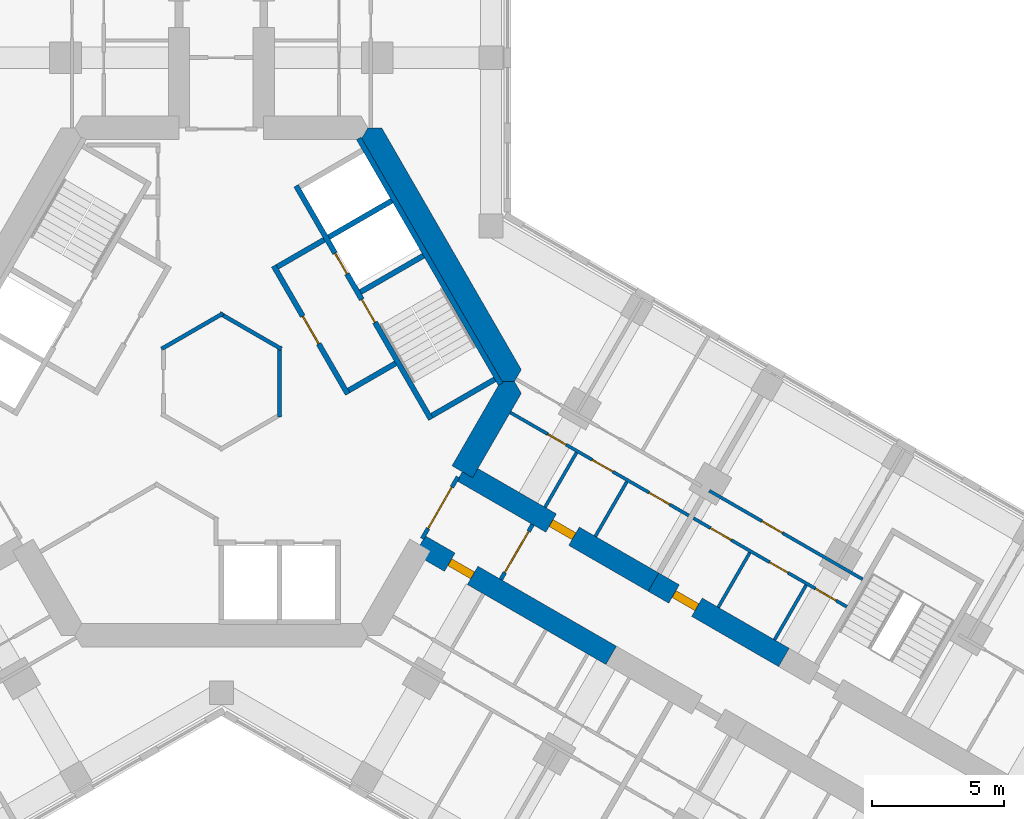
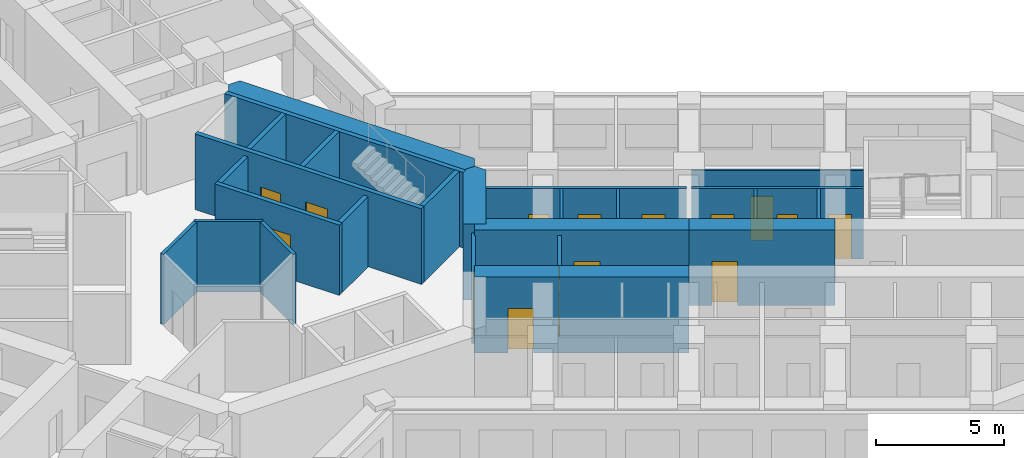
# One storey, part 15 of 19: 25 walls, 15 doors, 15 openings.
"""IFC4 building model written with IfcOpenShell, lengths in metres."""

from ifc_helpers import new_model, si_unit, direction, frame, frame_2d, origin, place, context, subcontext, project, spatial, polyline, rectangle, outline, extrude, material, layer, layer_set, type_object, element, fill, save


model = new_model("IFC4")

# Units and contexts
model_context = context("Model", 3, precision=1e-05, world=origin(), true_north=direction((0.0, 1.0)))
body_context = subcontext(model_context, "Body", "Model", "MODEL_VIEW")
ifc_project = project(units=[si_unit("LENGTHUNIT", "METRE"), si_unit("AREAUNIT", "SQUARE_METRE"), si_unit("VOLUMEUNIT", "CUBIC_METRE"), si_unit("PLANEANGLEUNIT", "RADIAN"), si_unit("MASSUNIT", "GRAM", prefix="KILO")], contexts=[model_context])

# Site, building, storey
site_placement = place(None, origin())
site = spatial("IfcSite", under=ifc_project, at=site_placement, CompositionType="ELEMENT")
building_placement = place(site_placement, origin())
building = spatial("IfcBuilding", under=site, at=building_placement, Name="Kosmar Iwan School Tower", CompositionType="ELEMENT")
storey_placement = place(building_placement, frame((0.0, 0.0, 172.39990234375)))
storey = spatial("IfcBuildingStorey", under=building, at=storey_placement, Name="L43", CompositionType="ELEMENT", Elevation=172.39990234375)

# Walls
ifc_material_1 = material(Name="Gypsum board on steel studs, fire-rated", Category="steel")
ifc_layer_1 = layer(ifc_material_1, 0.14990234375)
ifc_layer_set_1 = layer_set([ifc_layer_1], Name="Core room partition 150")
wall_type_1 = type_object("IfcWallType", Name="Core room partition 150", PredefinedType="PARTITIONING", material=ifc_layer_set_1)
for number, where, z_axis, x_axis, name in (
    (1, (-2.264892578125, 1.232666015625, 0.0), (0.0, 0.0, 1.0), (0.866011792348, 0.500023574959, 0.0), "Core room partition L43-CW11"),
    (2, (-0.06494140625, 2.577880859375, 0.0), (0.0, 0.0, 1.0), (0.866011792348, -0.500023574959, 0.0), "Core room partition L43-CW12"),
):
    element("IfcWall", number, at=place(storey_placement, frame(where, z_axis=z_axis, x_axis=x_axis)), inside=storey, type_object=wall_type_1, Name=name, PredefinedType="PARTITIONING", context=body_context, shape_type="SweptSolid", body=[
        extrude(rectangle(XDim=2.690185546875, YDim=0.14990234375, at=frame_2d((1.34521484375, 0.0))), origin(), (0.0, 0.0, 1.0), 3.35009765625),
    ])
wall_1_placement = place(storey_placement, frame((2.199951171875, 1.34521484375, 0.0), z_axis=(0.0, 0.0, 1.0), x_axis=(0.0, -1.0, 0.0)))
element("IfcWall", 3, at=wall_1_placement, inside=storey, type_object=wall_type_1, Name="Core room partition L43-CW13", PredefinedType="PARTITIONING", context=body_context, shape_type="SweptSolid", body=[
    extrude(rectangle(XDim=2.6904296875, YDim=0.14990234375, at=frame_2d((1.34521484375, 0.0))), origin(), (0.0, 0.0, 1.0), 3.35009765625),
])
ifc_material_2 = material(Name="Concrete C50/60", Category="concrete")
ifc_layer_2 = layer(ifc_material_2, 0.89990234375)
ifc_layer_set_2 = layer_set([ifc_layer_2], Name="Core wall 900")
wall_type_2 = type_object("IfcWallType", Name="Core wall 900", PredefinedType="SHEAR", material=ifc_layer_set_2)
wall_2_placement = place(storey_placement, origin())
element("IfcWall", 4, at=wall_2_placement, inside=storey, type_object=wall_type_2, Name="Core wall F030", PredefinedType="SHEAR", context=body_context, shape_type="SweptSolid", body=[
    extrude(outline(polyline([(10.5654296875, 0.0), (11.085205078125, 0.0), (11.344970703125, 0.449951171875), (6.062255859375, 9.60009765625), (5.54248046875, 9.60009765625), (5.28271484375, 9.14990234375), (10.5654296875, 0.0)])), origin(), (0.0, 0.0, 1.0), 3.60009765625),
])
wall_3_placement = place(storey_placement, origin())
element("IfcWall", 5, at=wall_3_placement, inside=storey, type_object=wall_type_2, Name="Core wall F330b", PredefinedType="SHEAR", context=body_context, shape_type="SweptSolid", body=[
    extrude(outline(polyline([(9.503662109375, -3.639404296875), (11.344970703125, -0.449951171875), (11.085205078125, 0.0), (10.5654296875, 0.0), (8.72412109375, -3.189453125), (9.503662109375, -3.639404296875)])), origin(), (0.0, 0.0, 1.0), 3.60009765625),
])

# Wall, opening, door
ifc_material_3 = material(Name="Concrete C50/60", Category="concrete")
ifc_layer_3 = layer(ifc_material_3, 0.800048828125)
ifc_layer_set_3 = layer_set([ifc_layer_3], Name="Corridor buttress wall 800")
wall_type_3 = type_object("IfcWallType", Name="Corridor buttress wall 800", PredefinedType="SHEAR", material=ifc_layer_set_3)
wall_4_placement = place(storey_placement, frame((9.11376953125, -3.414306640625, 0.0), z_axis=(0.0, 0.0, 1.0), x_axis=(0.866026859388, -0.499997478812, 0.0)))
wall_4 = element("IfcWall", 6, at=wall_4_placement, inside=storey, type_object=wall_type_3, Name="Corridor wall CL", PredefinedType="SHEAR", context=body_context, shape_type="SweptSolid", body=[
    extrude(rectangle(XDim=8.35009765625, YDim=0.800048828125, at=frame_2d((4.175048828125, 0.0))), origin(), (0.0, 0.0, 1.0), 3.60009765625),
])
opening_1_placement = place(wall_4_placement, frame((3.8798828125, 0.0, 0.0)))
opening_1 = element("IfcOpeningElement", 7, at=opening_1_placement, cuts=wall_4, Name="Opening D1", PredefinedType="OPENING", context=body_context, shape_type="SweptSolid", body=[
    extrude(rectangle(XDim=1.0, YDim=2.10009765625, at=frame_2d((0.5, 1.050048828125))), frame((0.0, 0.412109375, 0.0), z_axis=(0.0, -1.0, 0.0), x_axis=(1.0, 0.0, 0.0)), (0.0, 0.0, 1.0), 0.823974609375),
])
ifc_material_4 = material(Name="Timber fire door in steel frame", Category="steel")
door_type_1 = type_object("IfcDoorType", Name="Flat entrance door 1000x2100", OperationType="SINGLE_SWING_LEFT", PredefinedType="DOOR", material=ifc_material_4)
door_1_placement = place(opening_1_placement, origin())
door_1 = element("IfcDoor", 8, at=door_1_placement, inside=storey, type_object=door_type_1, Name="Flat L43-CL1 entrance door", OperationType="SINGLE_SWING_LEFT", OverallHeight=2.10009765625, OverallWidth=1.0, PredefinedType="DOOR", context=body_context, shape_type="SweptSolid", body=[
    extrude(rectangle(XDim=1.0, YDim=2.10009765625, at=frame_2d((0.5, 1.050048828125))), frame((0.0, 0.14990234375, 0.0), z_axis=(0.0, -1.0, 0.0), x_axis=(1.0, 0.0, 0.0)), (0.0, 0.0, 1.0), 0.300048828125),
])
fill(opening_1, door_1)

wall_5_placement = place(storey_placement, frame((16.34521484375, -7.58935546875, 0.0), z_axis=(0.0, 0.0, 1.0), x_axis=(0.866015111908, -0.50001782563, 0.0)))
wall_5 = element("IfcWall", 9, at=wall_5_placement, inside=storey, type_object=wall_type_3, Name="Corridor wall CL bay 2", PredefinedType="SHEAR", context=body_context, shape_type="SweptSolid", body=[
    extrude(rectangle(XDim=5.699951171875, YDim=0.800048828125, at=frame_2d((2.85009765625, 0.0))), origin(), (0.0, 0.0, 1.0), 3.60009765625),
])
opening_2_placement = place(wall_5_placement, frame((0.89990234375, 0.0, 0.0)))
opening_2 = element("IfcOpeningElement", 10, at=opening_2_placement, cuts=wall_5, Name="Opening D1", PredefinedType="OPENING", context=body_context, shape_type="SweptSolid", body=[
    extrude(rectangle(XDim=1.0, YDim=2.10009765625, at=frame_2d((0.5, 1.050048828125))), frame((0.0, 0.412109375, 0.0), z_axis=(0.0, -1.0, 0.0), x_axis=(1.0, 0.0, 0.0)), (0.0, 0.0, 1.0), 0.823974609375),
])
door_2_placement = place(opening_2_placement, origin())
door_2 = element("IfcDoor", 11, at=door_2_placement, inside=storey, type_object=door_type_1, Name="Flat L43-CL2 entrance door", OperationType="SINGLE_SWING_RIGHT", OverallHeight=2.10009765625, OverallWidth=1.0, PredefinedType="DOOR", context=body_context, shape_type="SweptSolid", body=[
    extrude(rectangle(XDim=1.0, YDim=2.10009765625, at=frame_2d((0.5, 1.050048828125))), frame((0.0, 0.14990234375, 0.0), z_axis=(0.0, -1.0, 0.0), x_axis=(1.0, 0.0, 0.0)), (0.0, 0.0, 1.0), 0.300048828125),
])
fill(opening_2, door_2)

wall_6_placement = place(storey_placement, frame((7.513916015625, -6.185546875, 0.0), z_axis=(0.0, 0.0, 1.0), x_axis=(0.866019549707, -0.500010139422, 0.0)))
wall_6 = element("IfcWall", 12, at=wall_6_placement, inside=storey, type_object=wall_type_3, Name="Corridor wall CR", PredefinedType="SHEAR", context=body_context, shape_type="SweptSolid", body=[
    extrude(rectangle(XDim=8.349853515625, YDim=0.800048828125, at=frame_2d((4.1748046875, 0.0))), origin(), (0.0, 0.0, 1.0), 3.60009765625),
])
opening_3_placement = place(wall_6_placement, frame((1.300048828125, 0.0, 0.0)))
opening_3 = element("IfcOpeningElement", 13, at=opening_3_placement, cuts=wall_6, Name="Opening D1", PredefinedType="OPENING", context=body_context, shape_type="SweptSolid", body=[
    extrude(rectangle(XDim=1.0, YDim=2.10009765625, at=frame_2d((0.5, 1.050048828125))), frame((0.0, 0.412109375, 0.0), z_axis=(0.0, -1.0, 0.0), x_axis=(1.0, 0.0, 0.0)), (0.0, 0.0, 1.0), 0.823974609375),
])
door_3_placement = place(opening_3_placement, origin())
door_3 = element("IfcDoor", 14, at=door_3_placement, inside=storey, type_object=door_type_1, Name="Flat L43-CR1 entrance door", OperationType="SINGLE_SWING_RIGHT", OverallHeight=2.10009765625, OverallWidth=1.0, PredefinedType="DOOR", context=body_context, shape_type="SweptSolid", body=[
    extrude(rectangle(XDim=1.0, YDim=2.10009765625, at=frame_2d((0.5, 1.050048828125))), frame((0.0, 0.14990234375, 0.0), z_axis=(0.0, -1.0, 0.0), x_axis=(1.0, 0.0, 0.0)), (0.0, 0.0, 1.0), 0.300048828125),
])
fill(opening_3, door_3)

ifc_material_5 = material(Name="Gypsum board on steel studs, fire-rated", Category="steel")
ifc_layer_4 = layer(ifc_material_5, 0.14990234375)
ifc_layer_set_4 = layer_set([ifc_layer_4], Name="Corridor end wall 150")
wall_type_4 = type_object("IfcWallType", Name="Corridor end wall 150", PredefinedType="PARTITIONING", material=ifc_layer_set_4)
wall_7_placement = place(storey_placement, frame((10.57177734375, -7.4892578125, 0.0), z_axis=(0.0, 0.0, 1.0), x_axis=(0.499957262057, 0.866050077142, 0.0)))
wall_7 = element("IfcWall", 15, at=wall_7_placement, inside=storey, type_object=wall_type_4, Name="Partition L43-C-HW", PredefinedType="PARTITIONING", context=body_context, shape_type="SweptSolid", body=[
    extrude(rectangle(XDim=2.400146484375, YDim=0.14990234375, at=frame_2d((1.2001953125, 0.0))), origin(), (0.0, 0.0, 1.0), 3.35009765625),
])
opening_4_placement = place(wall_7_placement, frame((0.300048828125, 0.0, 0.0)))
opening_4 = element("IfcOpeningElement", 16, at=opening_4_placement, cuts=wall_7, Name="Opening D9", PredefinedType="OPENING", context=body_context, shape_type="SweptSolid", body=[
    extrude(rectangle(XDim=1.800048828125, YDim=2.10009765625, at=frame_2d((0.89990234375, 1.050048828125))), frame((0.0, 0.0869140625, 0.0), z_axis=(0.0, -1.0, 0.0), x_axis=(1.0, 0.0, 0.0)), (0.0, 0.0, 1.0), 0.173828125),
])
ifc_material_6 = material(Name="Steel framed glazed smoke door", Category="steel")
door_type_2 = type_object("IfcDoorType", Name="Corridor smoke door pair 1800x2100", OperationType="DOUBLE_DOOR_DOUBLE_SWING", PredefinedType="DOOR", material=ifc_material_6)
door_4_placement = place(opening_4_placement, origin())
door_4 = element("IfcDoor", 17, at=door_4_placement, inside=storey, type_object=door_type_2, Name="Hashti vestibule smoke doors L43-C", OperationType="DOUBLE_DOOR_DOUBLE_SWING", OverallHeight=2.10009765625, OverallWidth=1.800048828125, PredefinedType="DOOR", context=body_context, shape_type="SweptSolid", body=[
    extrude(rectangle(XDim=1.800048828125, YDim=2.10009765625, at=frame_2d((0.89990234375, 1.050048828125))), frame((0.0, 0.02490234375, 0.0), z_axis=(0.0, -1.0, 0.0), x_axis=(1.0, 0.0, 0.0)), (0.0, 0.0, 1.0), 0.050048828125),
])
fill(opening_4, door_4)

ifc_material_7 = material(Name="Steel framed glazed screen", Category="steel")
ifc_layer_5 = layer(ifc_material_7, 0.14990234375)
ifc_layer_set_5 = layer_set([ifc_layer_5], Name="Corridor screen wall 150")
wall_type_5 = type_object("IfcWallType", Name="Corridor screen wall 150", PredefinedType="PARTITIONING", material=ifc_layer_set_5)
wall_8_placement = place(storey_placement, frame((7.595458984375, -5.944091796875, 0.0), z_axis=(0.0, 0.0, 1.0), x_axis=(0.500048589285, 0.86599734893, 0.0)))
wall_8 = element("IfcWall", 18, at=wall_8_placement, inside=storey, type_object=wall_type_5, Name="Corridor screen C L43", PredefinedType="PARTITIONING", context=body_context, shape_type="SweptSolid", body=[
    extrude(rectangle(XDim=2.699951171875, YDim=0.14990234375, at=frame_2d((1.35009765625, 0.0))), origin(), (0.0, 0.0, 1.0), 3.35009765625),
])
opening_5_placement = place(wall_8_placement, frame((0.449951171875, 0.0, 0.0)))
opening_5 = element("IfcOpeningElement", 19, at=opening_5_placement, cuts=wall_8, Name="Opening D9", PredefinedType="OPENING", context=body_context, shape_type="SweptSolid", body=[
    extrude(rectangle(XDim=1.800048828125, YDim=2.10009765625, at=frame_2d((0.89990234375, 1.050048828125))), frame((0.0, 0.0869140625, 0.0), z_axis=(0.0, -1.0, 0.0), x_axis=(1.0, 0.0, 0.0)), (0.0, 0.0, 1.0), 0.173828125),
])
door_5_placement = place(opening_5_placement, origin())
door_5 = element("IfcDoor", 20, at=door_5_placement, inside=storey, type_object=door_type_2, Name="Corridor doors C L43", OperationType="DOUBLE_DOOR_DOUBLE_SWING", OverallHeight=2.10009765625, OverallWidth=1.800048828125, PredefinedType="DOOR", context=body_context, shape_type="SweptSolid", body=[
    extrude(rectangle(XDim=1.800048828125, YDim=2.10009765625, at=frame_2d((0.89990234375, 1.050048828125))), frame((0.0, 0.02490234375, 0.0), z_axis=(0.0, -1.0, 0.0), x_axis=(1.0, 0.0, 0.0)), (0.0, 0.0, 1.0), 0.050048828125),
])
fill(opening_5, door_5)

# Wall, openings, doors
ifc_material_8 = material(Name="Gypsum board on steel studs", Category="steel")
ifc_layer_6 = layer(ifc_material_8, 0.1201171875)
ifc_layer_set_6 = layer_set([ifc_layer_6], Name="Dwelling partition 120")
wall_type_6 = type_object("IfcWallType", Name="Dwelling partition 120", PredefinedType="PARTITIONING", material=ifc_layer_set_6)
wall_9_placement = place(storey_placement, frame((10.928466796875, -1.171142578125, 0.0), z_axis=(0.0, 0.0, 1.0), x_axis=(0.866021400173, -0.500006934395, 0.0)))
wall_9 = element("IfcWall", 21, at=wall_9_placement, inside=storey, type_object=wall_type_6, Name="Partition L43-CL1-W1", PredefinedType="PARTITIONING", context=body_context, shape_type="SweptSolid", body=[
    extrude(rectangle(XDim=7.80029296875, YDim=0.1201171875, at=frame_2d((3.900146484375, 0.0))), origin(), (0.0, 0.0, 1.0), 3.35009765625),
])
opening_6_placement = place(wall_9_placement, frame((1.639892578125, 0.0, 0.0)))
opening_6 = element("IfcOpeningElement", 22, at=opening_6_placement, cuts=wall_9, Name="Opening D3", PredefinedType="OPENING", context=body_context, shape_type="SweptSolid", body=[
    extrude(rectangle(XDim=0.800048828125, YDim=2.10009765625, at=frame_2d((0.39990234375, 1.050048828125))), frame((0.0, 0.072021484375, 0.0), z_axis=(0.0, -1.0, 0.0), x_axis=(1.0, 0.0, 0.0)), (0.0, 0.0, 1.0), 0.14404296875),
])
opening_7_placement = place(wall_9_placement, frame((3.580078125, 0.0, 0.0)))
opening_7 = element("IfcOpeningElement", 23, at=opening_7_placement, cuts=wall_9, Name="Opening D2", PredefinedType="OPENING", context=body_context, shape_type="SweptSolid", body=[
    extrude(rectangle(XDim=0.89990234375, YDim=2.10009765625, at=frame_2d((0.449951171875, 1.050048828125))), frame((0.0, 0.072021484375, 0.0), z_axis=(0.0, -1.0, 0.0), x_axis=(1.0, 0.0, 0.0)), (0.0, 0.0, 1.0), 0.14404296875),
])
opening_8_placement = place(wall_9_placement, frame((6.06494140625, 0.0, 0.0)))
opening_8 = element("IfcOpeningElement", 24, at=opening_8_placement, cuts=wall_9, Name="Opening D2", PredefinedType="OPENING", context=body_context, shape_type="SweptSolid", body=[
    extrude(rectangle(XDim=0.89990234375, YDim=2.10009765625, at=frame_2d((0.449951171875, 1.050048828125))), frame((0.0, 0.072021484375, 0.0), z_axis=(0.0, -1.0, 0.0), x_axis=(1.0, 0.0, 0.0)), (0.0, 0.0, 1.0), 0.14404296875),
])
ifc_material_9 = material(Name="Timber door in timber frame", Category="wood")
door_type_3 = type_object("IfcDoorType", Name="Internal door 900x2100", OperationType="SINGLE_SWING_LEFT", PredefinedType="DOOR", material=ifc_material_9)
door_6_placement = place(opening_7_placement, origin())
door_6 = element("IfcDoor", 25, at=door_6_placement, inside=storey, type_object=door_type_3, Name="Entrance hall door L43-CL1-S2", OperationType="SINGLE_SWING_RIGHT", OverallHeight=2.10009765625, OverallWidth=0.89990234375, PredefinedType="DOOR", context=body_context, shape_type="SweptSolid", body=[
    extrude(rectangle(XDim=0.89990234375, YDim=2.10009765625, at=frame_2d((0.449951171875, 1.050048828125))), frame((0.0, 0.02490234375, 0.0), z_axis=(0.0, -1.0, 0.0), x_axis=(1.0, 0.0, 0.0)), (0.0, 0.0, 1.0), 0.050048828125),
])
fill(opening_7, door_6)
door_7_placement = place(opening_8_placement, origin())
door_7 = element("IfcDoor", 26, at=door_7_placement, inside=storey, type_object=door_type_3, Name="Pantry door L43-CL1-S3", OperationType="SINGLE_SWING_RIGHT", OverallHeight=2.10009765625, OverallWidth=0.89990234375, PredefinedType="DOOR", context=body_context, shape_type="SweptSolid", body=[
    extrude(rectangle(XDim=0.89990234375, YDim=2.10009765625, at=frame_2d((0.449951171875, 1.050048828125))), frame((0.0, 0.02490234375, 0.0), z_axis=(0.0, -1.0, 0.0), x_axis=(1.0, 0.0, 0.0)), (0.0, 0.0, 1.0), 0.050048828125),
])
fill(opening_8, door_7)
ifc_material_10 = material(Name="Timber door in timber frame", Category="wood")
door_type_4 = type_object("IfcDoorType", Name="Sanitary room door 800x2100", OperationType="SINGLE_SWING_LEFT", PredefinedType="DOOR", material=ifc_material_10)
door_8_placement = place(opening_6_placement, origin())
door_8 = element("IfcDoor", 27, at=door_8_placement, inside=storey, type_object=door_type_4, Name="Bathroom door L43-CL1-S1", OperationType="SINGLE_SWING_LEFT", OverallHeight=2.10009765625, OverallWidth=0.800048828125, PredefinedType="DOOR", context=body_context, shape_type="SweptSolid", body=[
    extrude(rectangle(XDim=0.800048828125, YDim=2.10009765625, at=frame_2d((0.39990234375, 1.050048828125))), frame((0.0, 0.02490234375, 0.0), z_axis=(0.0, -1.0, 0.0), x_axis=(1.0, 0.0, 0.0)), (0.0, 0.0, 1.0), 0.050048828125),
])
fill(opening_6, door_8)

# Walls
for number, where, z_axis, x_axis, name in (
    (28, (12.240966796875, -4.758056640625, 0.0), (0.0, 0.0, 1.0), (0.500017192868, 0.86601547725, 0.0), "Partition L43-CL1-Y1"),
    (29, (14.146240234375, -5.85791015625, 0.0), (0.0, 0.0, 1.0), (0.500017192868, 0.86601547725, 0.0), "Partition L43-CL1-Y2"),
):
    element("IfcWall", number, at=place(storey_placement, frame(where, z_axis=z_axis, x_axis=x_axis)), inside=storey, type_object=wall_type_6, Name=name, PredefinedType="PARTITIONING", context=body_context, shape_type="SweptSolid", body=[
        extrude(rectangle(XDim=2.39013671875, YDim=0.1201171875, at=frame_2d((1.195068359375, 0.0))), origin(), (0.0, 0.0, 1.0), 3.35009765625),
    ])

# Wall, openings, doors
wall_10_placement = place(storey_placement, frame((17.856689453125, -5.171142578125, 0.0), z_axis=(0.0, 0.0, 1.0), x_axis=(0.866023571113, -0.500003174267, 0.0)))
wall_10 = element("IfcWall", 30, at=wall_10_placement, inside=storey, type_object=wall_type_6, Name="Partition L43-CL2-W1", PredefinedType="PARTITIONING", context=body_context, shape_type="SweptSolid", body=[
    extrude(rectangle(XDim=6.7001953125, YDim=0.1201171875, at=frame_2d((3.35009765625, 0.0))), origin(), (0.0, 0.0, 1.0), 3.35009765625),
])
opening_9_placement = place(wall_10_placement, frame((0.75, 0.0, 0.0)))
opening_9 = element("IfcOpeningElement", 31, at=opening_9_placement, cuts=wall_10, Name="Opening D2", PredefinedType="OPENING", context=body_context, shape_type="SweptSolid", body=[
    extrude(rectangle(XDim=0.89990234375, YDim=2.10009765625, at=frame_2d((0.449951171875, 1.050048828125))), frame((0.0, 0.072021484375, 0.0), z_axis=(0.0, -1.0, 0.0), x_axis=(1.0, 0.0, 0.0)), (0.0, 0.0, 1.0), 0.14404296875),
])
opening_10_placement = place(wall_10_placement, frame((3.330078125, 0.0, 0.0)))
opening_10 = element("IfcOpeningElement", 32, at=opening_10_placement, cuts=wall_10, Name="Opening D3", PredefinedType="OPENING", context=body_context, shape_type="SweptSolid", body=[
    extrude(rectangle(XDim=0.800048828125, YDim=2.10009765625, at=frame_2d((0.39990234375, 1.050048828125))), frame((0.0, 0.072021484375, 0.0), z_axis=(0.0, -1.0, 0.0), x_axis=(1.0, 0.0, 0.0)), (0.0, 0.0, 1.0), 0.14404296875),
])
opening_11_placement = place(wall_10_placement, frame((5.330078125, 0.0, 0.0)))
opening_11 = element("IfcOpeningElement", 33, at=opening_11_placement, cuts=wall_10, Name="Opening D2", PredefinedType="OPENING", context=body_context, shape_type="SweptSolid", body=[
    extrude(rectangle(XDim=0.89990234375, YDim=2.10009765625, at=frame_2d((0.449951171875, 1.050048828125))), frame((0.0, 0.072021484375, 0.0), z_axis=(0.0, -1.0, 0.0), x_axis=(1.0, 0.0, 0.0)), (0.0, 0.0, 1.0), 0.14404296875),
])
door_9_placement = place(opening_9_placement, origin())
door_9 = element("IfcDoor", 34, at=door_9_placement, inside=storey, type_object=door_type_3, Name="Entrance hall door L43-CL2-S1", OperationType="SINGLE_SWING_LEFT", OverallHeight=2.10009765625, OverallWidth=0.89990234375, PredefinedType="DOOR", context=body_context, shape_type="SweptSolid", body=[
    extrude(rectangle(XDim=0.89990234375, YDim=2.10009765625, at=frame_2d((0.449951171875, 1.050048828125))), frame((0.0, 0.02490234375, 0.0), z_axis=(0.0, -1.0, 0.0), x_axis=(1.0, 0.0, 0.0)), (0.0, 0.0, 1.0), 0.050048828125),
])
fill(opening_9, door_9)
door_10_placement = place(opening_11_placement, frame((0.89990234375, 0.0, 0.0), z_axis=(0.0, 0.0, 1.0), x_axis=(-1.0, 0.0, 0.0)))
door_10 = element("IfcDoor", 35, at=door_10_placement, inside=storey, type_object=door_type_3, Name="Pantry door L43-CL2-S3", OperationType="SINGLE_SWING_LEFT", OverallHeight=2.10009765625, OverallWidth=0.89990234375, PredefinedType="DOOR", context=body_context, shape_type="SweptSolid", body=[
    extrude(rectangle(XDim=0.89990234375, YDim=2.10009765625, at=frame_2d((0.449951171875, 1.050048828125))), frame((0.0, 0.02490234375, 0.0), z_axis=(0.0, -1.0, 0.0), x_axis=(1.0, 0.0, 0.0)), (0.0, 0.0, 1.0), 0.050048828125),
])
fill(opening_11, door_10)
door_11_placement = place(opening_10_placement, origin())
door_11 = element("IfcDoor", 36, at=door_11_placement, inside=storey, type_object=door_type_4, Name="Bathroom door L43-CL2-S2", OperationType="SINGLE_SWING_RIGHT", OverallHeight=2.10009765625, OverallWidth=0.800048828125, PredefinedType="DOOR", context=body_context, shape_type="SweptSolid", body=[
    extrude(rectangle(XDim=0.800048828125, YDim=2.10009765625, at=frame_2d((0.39990234375, 1.050048828125))), frame((0.0, 0.02490234375, 0.0), z_axis=(0.0, -1.0, 0.0), x_axis=(1.0, 0.0, 0.0)), (0.0, 0.0, 1.0), 0.050048828125),
])
fill(opening_10, door_11)

# Wall, opening, door
wall_11_placement = place(storey_placement, frame((18.456787109375, -4.1318359375, 0.0), z_axis=(0.0, 0.0, 1.0), x_axis=(0.866014461049, -0.500018952895, 0.0)))
wall_11 = element("IfcWall", 37, at=wall_11_placement, inside=storey, type_object=wall_type_6, Name="Partition L43-CL2-W2", PredefinedType="PARTITIONING", context=body_context, shape_type="SweptSolid", body=[
    extrude(rectangle(XDim=6.699951171875, YDim=0.1201171875, at=frame_2d((3.35009765625, 0.0))), origin(), (0.0, 0.0, 1.0), 3.35009765625),
])
opening_12_placement = place(wall_11_placement, frame((2.300048828125, 0.0, 0.0)))
opening_12 = element("IfcOpeningElement", 38, at=opening_12_placement, cuts=wall_11, Name="Opening D2", PredefinedType="OPENING", context=body_context, shape_type="SweptSolid", body=[
    extrude(rectangle(XDim=0.89990234375, YDim=2.10009765625, at=frame_2d((0.449951171875, 1.050048828125))), frame((0.0, 0.072021484375, 0.0), z_axis=(0.0, -1.0, 0.0), x_axis=(1.0, 0.0, 0.0)), (0.0, 0.0, 1.0), 0.14404296875),
])
door_12_placement = place(opening_12_placement, origin())
door_12 = element("IfcDoor", 39, at=door_12_placement, inside=storey, type_object=door_type_3, Name="Studio living room and kitchen door L43-CL2-F1", OperationType="SINGLE_SWING_LEFT", OverallHeight=2.10009765625, OverallWidth=0.89990234375, PredefinedType="DOOR", context=body_context, shape_type="SweptSolid", body=[
    extrude(rectangle(XDim=0.89990234375, YDim=2.10009765625, at=frame_2d((0.449951171875, 1.050048828125))), frame((0.0, 0.02490234375, 0.0), z_axis=(0.0, -1.0, 0.0), x_axis=(1.0, 0.0, 0.0)), (0.0, 0.0, 1.0), 0.050048828125),
])
fill(opening_12, door_12)

# Walls
for number, where, z_axis, x_axis, name in (
    (40, (18.796875, -8.54296875, 0.0), (0.0, 0.0, 1.0), (0.500017192868, 0.86601547725, 0.0), "Partition L43-CL2-Y1"),
    (41, (20.92724609375, -9.77294921875, 0.0), (0.0, 0.0, 1.0), (0.500017192868, 0.86601547725, 0.0), "Partition L43-CL2-Y2"),
):
    element("IfcWall", number, at=place(storey_placement, frame(where, z_axis=z_axis, x_axis=x_axis)), inside=storey, type_object=wall_type_6, Name=name, PredefinedType="PARTITIONING", context=body_context, shape_type="SweptSolid", body=[
        extrude(rectangle(XDim=2.39013671875, YDim=0.1201171875, at=frame_2d((1.195068359375, 0.0))), origin(), (0.0, 0.0, 1.0), 3.35009765625),
    ])

# Wall, opening, door
ifc_material_11 = material(Name="Concrete block masonry", Category="masonry")
ifc_layer_7 = layer(ifc_material_11, 0.199951171875)
ifc_layer_set_7 = layer_set([ifc_layer_7], Name="Fire lobby wall 200")
wall_type_7 = type_object("IfcWallType", Name="Fire lobby wall 200", PredefinedType="PARTITIONING", material=ifc_layer_set_7)
wall_12_placement = place(storey_placement, frame((4.777587890625, -0.474853515625, 0.0), z_axis=(0.0, 0.0, 1.0), x_axis=(-0.500016814911, 0.866015695474, 0.0)))
wall_12 = element("IfcWall", 42, at=wall_12_placement, inside=storey, type_object=wall_type_7, Name="Firefighting lobby wall ST1", PredefinedType="PARTITIONING", context=body_context, shape_type="SweptSolid", body=[
    extrude(rectangle(XDim=5.599853515625, YDim=0.199951171875, at=frame_2d((2.7998046875, 0.0))), origin(), (0.0, 0.0, 1.0), 3.35009765625),
])
opening_13_placement = place(wall_12_placement, frame((2.199951171875, 0.0, 0.0)))
opening_13 = element("IfcOpeningElement", 43, at=opening_13_placement, cuts=wall_12, Name="Opening D7", PredefinedType="OPENING", context=body_context, shape_type="SweptSolid", body=[
    extrude(rectangle(XDim=1.199951171875, YDim=2.10009765625, at=frame_2d((0.60009765625, 1.050048828125))), frame((0.0, 0.112060546875, 0.0), z_axis=(0.0, -1.0, 0.0), x_axis=(1.0, 0.0, 0.0)), (0.0, 0.0, 1.0), 0.223876953125),
])
ifc_material_12 = material(Name="Steel fire door", Category="steel")
door_type_5 = type_object("IfcDoorType", Name="Fire lobby door 1200x2100", OperationType="SINGLE_SWING_LEFT", PredefinedType="DOOR", material=ifc_material_12)
door_13_placement = place(opening_13_placement, origin())
door_13 = element("IfcDoor", 44, at=door_13_placement, inside=storey, type_object=door_type_5, Name="Firefighting lobby door ST1 L43", OperationType="SINGLE_SWING_LEFT", OverallHeight=2.10009765625, OverallWidth=1.199951171875, PredefinedType="DOOR", context=body_context, shape_type="SweptSolid", body=[
    extrude(rectangle(XDim=1.199951171875, YDim=2.10009765625, at=frame_2d((0.60009765625, 1.050048828125))), frame((0.0, 0.02490234375, 0.0), z_axis=(0.0, -1.0, 0.0), x_axis=(1.0, 0.0, 0.0)), (0.0, 0.0, 1.0), 0.050048828125),
])
fill(opening_13, door_13)

# Walls
wall_13_placement = place(storey_placement, frame((4.814208984375, -0.33837890625, 0.0), z_axis=(0.0, 0.0, 1.0), x_axis=(0.865969381856, 0.500097020274, 0.0)))
element("IfcWall", 45, at=wall_13_placement, inside=storey, type_object=wall_type_7, Name="Firefighting lobby wall ST1", PredefinedType="PARTITIONING", context=body_context, shape_type="SweptSolid", body=[
    extrude(rectangle(XDim=2.0498046875, YDim=0.199951171875, at=frame_2d((1.02490234375, 0.0))), origin(), (0.0, 0.0, 1.0), 3.35009765625),
])
wall_14_placement = place(storey_placement, frame((2.114013671875, 4.33837890625, 0.0), z_axis=(0.0, 0.0, 1.0), x_axis=(0.866050731258, 0.499956128963, 0.0)))
element("IfcWall", 46, at=wall_14_placement, inside=storey, type_object=wall_type_7, Name="Firefighting lobby wall ST1", PredefinedType="PARTITIONING", context=body_context, shape_type="SweptSolid", body=[
    extrude(rectangle(XDim=2.050048828125, YDim=0.199951171875, at=frame_2d((1.02490234375, 0.0))), origin(), (0.0, 0.0, 1.0), 3.35009765625),
])

# Wall, openings, doors
ifc_material_13 = material(Name="Concrete C50/60", Category="concrete")
ifc_layer_8 = layer(ifc_material_13, 0.199951171875)
ifc_layer_set_8 = layer_set([ifc_layer_8], Name="Lift shaft wall 200")
wall_type_8 = type_object("IfcWallType", Name="Lift shaft wall 200", PredefinedType="SHEAR", material=ifc_layer_set_8)
wall_15_placement = place(storey_placement, frame((7.926025390625, -1.42822265625, 0.0), z_axis=(0.0, 0.0, 1.0), x_axis=(-0.499998023675, 0.866026544813, 0.0)))
wall_15 = element("IfcWall", 47, at=wall_15_placement, inside=storey, type_object=wall_type_8, Name="Lift and stair front wall AC", PredefinedType="SHEAR", context=body_context, shape_type="SweptSolid", body=[
    extrude(rectangle(XDim=10.19970703125, YDim=0.199951171875, at=frame_2d((5.099853515625, 0.0))), origin(), (0.0, 0.0, 1.0), 3.60009765625),
])
opening_14_placement = place(wall_15_placement, frame((6.35009765625, 0.0, 0.0)))
opening_14 = element("IfcOpeningElement", 48, at=opening_14_placement, cuts=wall_15, Name="Opening LD2", PredefinedType="OPENING", context=body_context, shape_type="SweptSolid", body=[
    extrude(rectangle(XDim=0.89990234375, YDim=2.10009765625, at=frame_2d((0.449951171875, 1.050048828125))), frame((0.0, 0.112060546875, 0.0), z_axis=(0.0, -1.0, 0.0), x_axis=(1.0, 0.0, 0.0)), (0.0, 0.0, 1.0), 0.223876953125),
])
opening_15_placement = place(wall_15_placement, frame((4.22998046875, 0.0, 0.0)))
opening_15 = element("IfcOpeningElement", 49, at=opening_15_placement, cuts=wall_15, Name="Opening D6", PredefinedType="OPENING", context=body_context, shape_type="SweptSolid", body=[
    extrude(rectangle(XDim=1.0, YDim=2.10009765625, at=frame_2d((0.5, 1.050048828125))), frame((0.0, 0.112060546875, 0.0), z_axis=(0.0, -1.0, 0.0), x_axis=(1.0, 0.0, 0.0)), (0.0, 0.0, 1.0), 0.223876953125),
])
ifc_material_14 = material(Name="Stainless steel sliding lift door", Category="steel")
door_type_6 = type_object("IfcDoorType", Name="Firefighting lift landing door 900x2100", OperationType="SLIDING_TO_LEFT", PredefinedType="DOOR", material=ifc_material_14)
door_14_placement = place(opening_14_placement, origin())
door_14 = element("IfcDoor", 50, at=door_14_placement, inside=storey, type_object=door_type_6, Name="Lift FF1 landing door L43", OperationType="SLIDING_TO_LEFT", OverallHeight=2.10009765625, OverallWidth=0.89990234375, PredefinedType="DOOR", context=body_context, shape_type="SweptSolid", body=[
    extrude(rectangle(XDim=0.89990234375, YDim=2.10009765625, at=frame_2d((0.449951171875, 1.050048828125))), frame((0.0, 0.02490234375, 0.0), z_axis=(0.0, -1.0, 0.0), x_axis=(1.0, 0.0, 0.0)), (0.0, 0.0, 1.0), 0.050048828125),
])
fill(opening_14, door_14)
ifc_material_15 = material(Name="Steel fire door", Category="steel")
door_type_7 = type_object("IfcDoorType", Name="Stair door 1000x2100", OperationType="SINGLE_SWING_LEFT", PredefinedType="DOOR", material=ifc_material_15)
door_15_placement = place(opening_15_placement, origin())
door_15 = element("IfcDoor", 51, at=door_15_placement, inside=storey, type_object=door_type_7, Name="Stair ST1 door L43", OperationType="SINGLE_SWING_LEFT", OverallHeight=2.10009765625, OverallWidth=1.0, PredefinedType="DOOR", context=body_context, shape_type="SweptSolid", body=[
    extrude(rectangle(XDim=1.0, YDim=2.10009765625, at=frame_2d((0.5, 1.050048828125))), frame((0.0, 0.02490234375, 0.0), z_axis=(0.0, -1.0, 0.0), x_axis=(1.0, 0.0, 0.0)), (0.0, 0.0, 1.0), 0.050048828125),
])
fill(opening_15, door_15)

# Walls
wall_16_placement = place(storey_placement, frame((10.5654296875, -0.10009765625, 0.0), z_axis=(0.0, 0.0, 1.0), x_axis=(-0.499999935134, 0.866025441235, 0.0)))
element("IfcWall", 52, at=wall_16_placement, inside=storey, type_object=wall_type_8, Name="Lift and stair back wall AC", PredefinedType="SHEAR", context=body_context, shape_type="SweptSolid", body=[
    extrude(rectangle(XDim=10.73876953125, YDim=0.199951171875, at=frame_2d((5.369384765625, 0.0))), origin(), (0.0, 0.0, 1.0), 3.60009765625),
])
wall_17_placement = place(storey_placement, frame((4.062744140625, 5.46337890625, 0.0), z_axis=(0.0, 0.0, 1.0), x_axis=(0.866027397988, 0.499996545922, 0.0)))
element("IfcWall", 53, at=wall_17_placement, inside=storey, type_object=wall_type_8, Name="Lift shaft wall AC 1", PredefinedType="SHEAR", context=body_context, shape_type="SweptSolid", body=[
    extrude(rectangle(XDim=2.75, YDim=0.199951171875, at=frame_2d((1.375, 0.0))), origin(), (0.0, 0.0, 1.0), 3.60009765625),
])
ifc_material_16 = material(Name="Concrete C50/60", Category="concrete")
ifc_layer_9 = layer(ifc_material_16, 0.199951171875)
ifc_layer_set_9 = layer_set([ifc_layer_9], Name="Stair enclosure wall 200")
wall_type_9 = type_object("IfcWallType", Name="Stair enclosure wall 200", PredefinedType="SHEAR", material=ifc_layer_set_9)
for number, where, z_axis, x_axis, name in (
    (54, (7.962646484375, -1.291748046875, 0.0), (0.0, 0.0, 1.0), (0.866027397988, 0.499996545922, 0.0), "Stair ST1 wall"),
    (55, (5.2626953125, 3.384765625, 0.0), (0.0, 0.0, 1.0), (0.866027397988, 0.499996545922, 0.0), "Stair ST1 wall"),
):
    element("IfcWall", number, at=place(storey_placement, frame(where, z_axis=z_axis, x_axis=x_axis)), inside=storey, type_object=wall_type_9, Name=name, PredefinedType="SHEAR", context=body_context, shape_type="SweptSolid", body=[
        extrude(rectangle(XDim=2.75, YDim=0.199951171875, at=frame_2d((1.375, 0.0))), origin(), (0.0, 0.0, 1.0), 3.60009765625),
    ])

save(model, "model.ifc")
